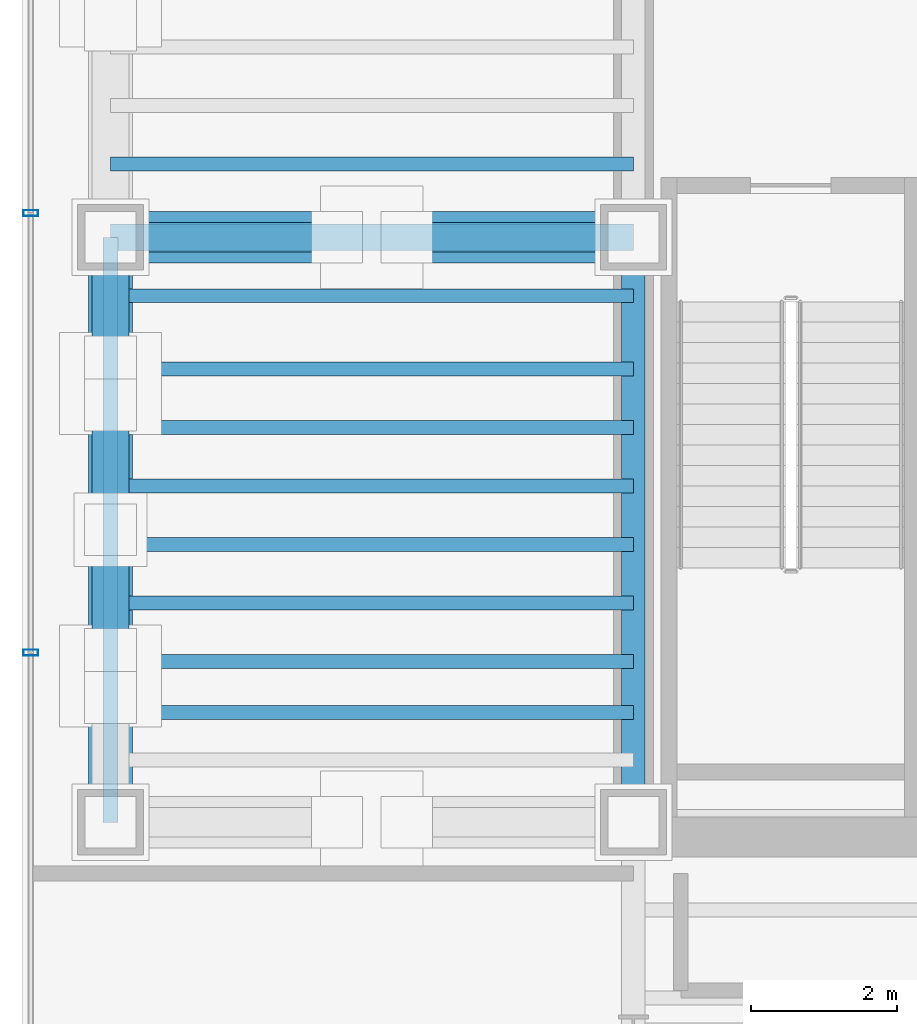
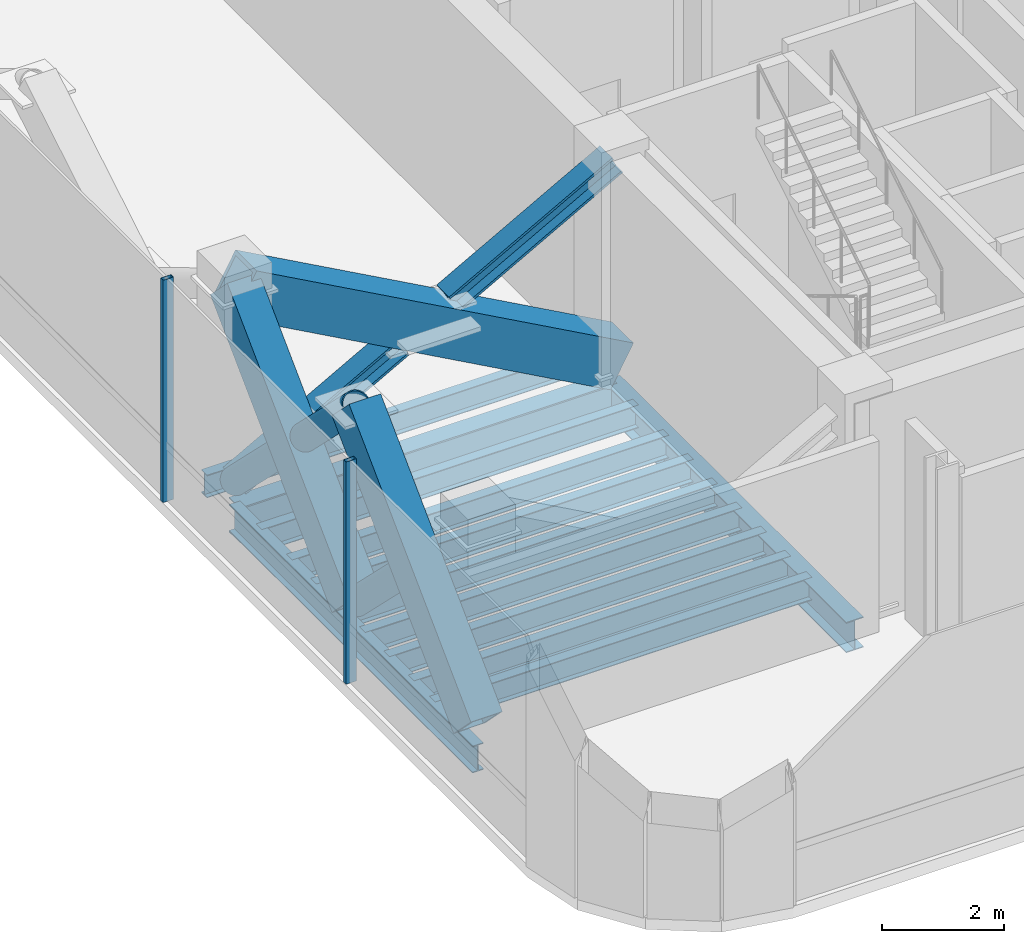
# One storey, part 4 of 20: 12 beams, 10 members, 1 element without a shape of its own.
"""IFC4 building model written with IfcOpenShell, lengths in metres."""

from ifc_helpers import new_model, si_unit, direction, frame, origin, origin_2d, place, context, subcontext, project, spatial, hollow_rectangle, hollow_circle, i_section, extrude, source, transform, mapped, material, material_profile, profile_set, type_object, element, aggregate, save


model = new_model("IFC4")

# Units and contexts
model_context = context("Model", 3, precision=1e-05, world=origin(), true_north=direction((0.0, 1.0)))
body_context = subcontext(model_context, "Body", "Model", "MODEL_VIEW")
ifc_project = project(units=[si_unit("LENGTHUNIT", "METRE"), si_unit("AREAUNIT", "SQUARE_METRE"), si_unit("VOLUMEUNIT", "CUBIC_METRE"), si_unit("PLANEANGLEUNIT", "RADIAN"), si_unit("MASSUNIT", "GRAM", prefix="KILO")], contexts=[model_context])

# Site, building, storey
site_placement = place(None, origin())
site = spatial("IfcSite", under=ifc_project, at=site_placement, CompositionType="ELEMENT")
building_placement = place(site_placement, origin())
building = spatial("IfcBuilding", under=site, at=building_placement, Name="Valdorenza Pilgrim Sanctuary Tower", CompositionType="ELEMENT")
storey_placement = place(building_placement, frame((0.0, 0.0, 196.300048828125)))
storey = spatial("IfcBuildingStorey", under=building, at=storey_placement, Name="L50", CompositionType="ELEMENT", Elevation=196.300048828125)

# Beams
ifc_material_1 = material(Name="Steel ASTM A992 Grade 50", Category="steel")
ifc_material_profile_1 = material_profile(ifc_material_1, i_section(OverallWidth=0.323974609375, OverallDepth=0.611083984375, WebThickness=0.0126953125, FlangeThickness=0.01904296875, at=origin_2d()), Name="W24X104")
ifc_profile_set_1 = profile_set([ifc_material_profile_1], Name="Steel ASTM A992 Grade 50")
beam_type_1 = type_object("IfcBeamType", Name="STR-BM-GRD-W24B", PredefinedType="BEAM", material=ifc_profile_set_1)
shared_shape_1 = source(origin(), body_context, "Body", "SweptSolid", [
    extrude(i_section(OverallWidth=0.323974609375, OverallDepth=0.611083984375, WebThickness=0.0126953125, FlangeThickness=0.01904296875, at=origin_2d()), origin(), (0.0, 0.0, 1.0), 8.0),
])
beam_1_placement = place(storey_placement, frame((-22.64990234375, -10.60009765625, -0.545654296875), z_axis=(0.0, 1.0, 0.0), x_axis=(-1.0, 0.0, 0.0)))
element("IfcBeam", 1, at=beam_1_placement, inside=storey, type_object=beam_type_1, Name="L50 Core Tie Girder CA-W-S1M0", PredefinedType="BEAM", context=body_context, shape_type="MappedRepresentation", body=[
    mapped(shared_shape_1, transform((0.0, 0.0, 0.0), x_axis=(1.0, 0.0, 0.0), y_axis=(0.0, 1.0, 0.0), z_axis=(0.0, 0.0, 1.0), scale=1.0)),
])
ifc_material_profile_2 = material_profile(ifc_material_1, i_section(OverallWidth=0.19091796875, OverallDepth=0.45703125, WebThickness=0.009033203125, FlangeThickness=0.014404296875, at=origin_2d()), Name="W18X50")
ifc_profile_set_2 = profile_set([ifc_material_profile_2], Name="Steel ASTM A992 Grade 50")
beam_type_2 = type_object("IfcBeamType", Name="STR-BM-JST-W18B", PredefinedType="JOIST", material=ifc_profile_set_2)
shared_shape_2 = source(origin(), body_context, "Body", "SweptSolid", [
    extrude(i_section(OverallWidth=0.19091796875, OverallDepth=0.45703125, WebThickness=0.009033203125, FlangeThickness=0.014404296875, at=origin_2d()), origin(), (0.0, 0.0, 1.0), 7.150146484375),
])
for number, where, z_axis, x_axis, name in (
    (2, (-29.800048828125, -9.10009765625, -0.468505859375), (1.0, 0.0, 0.0), (0.0, 1.0, 0.0), "L50 Composite Floor Joist JST-WA-2"),
    (3, (-29.800048828125, -8.39990234375, -0.468505859375), (1.0, 0.0, 0.0), (0.0, 1.0, 0.0), "L50 Composite Floor Joist JST-WA-3"),
    (4, (-29.800048828125, -7.60009765625, -0.468505859375), (1.0, 0.0, 0.0), (0.0, 1.0, 0.0), "L50 Composite Floor Joist JST-WA-4"),
    (5, (-29.800048828125, -6.800048828125, -0.468505859375), (1.0, 0.0, 0.0), (0.0, 1.0, 0.0), "L50 Composite Floor Joist JST-WA-5"),
    (6, (-29.800048828125, -6.0, -0.468505859375), (1.0, 0.0, 0.0), (0.0, 1.0, 0.0), "L50 Composite Floor Joist JST-WA-6"),
    (7, (-29.800048828125, -5.199951171875, -0.468505859375), (1.0, 0.0, 0.0), (0.0, 1.0, 0.0), "L50 Composite Floor Joist JST-WA-7"),
    (8, (-29.800048828125, -4.39990234375, -0.468505859375), (1.0, 0.0, 0.0), (0.0, 1.0, 0.0), "L50 Composite Floor Joist JST-WA-8"),
    (9, (-29.800048828125, -3.39990234375, -0.468505859375), (1.0, 0.0, 0.0), (0.0, 1.0, 0.0), "L50 Composite Floor Joist JST-WA-9"),
    (10, (-29.800048828125, -1.60009765625, -0.468505859375), (1.0, 0.0, 0.0), (0.0, 1.0, 0.0), "L50 Composite Floor Joist JST-WA-10"),
):
    element("IfcBeam", number, at=place(storey_placement, frame(where, z_axis=z_axis, x_axis=x_axis)), inside=storey, type_object=beam_type_2, Name=name, PredefinedType="JOIST", context=body_context, shape_type="MappedRepresentation", body=[
        mapped(shared_shape_2, transform((0.0, 0.0, 0.0), x_axis=(1.0, 0.0, 0.0), y_axis=(0.0, 1.0, 0.0), z_axis=(0.0, 0.0, 1.0), scale=1.0)),
    ])
ifc_material_profile_3 = material_profile(ifc_material_1, i_section(OverallWidth=0.2109375, OverallDepth=0.5390625, WebThickness=0.01171875, FlangeThickness=0.018798828125, at=origin_2d()), Name="W21X73")
ifc_profile_set_3 = profile_set([ifc_material_profile_3], Name="Steel ASTM A992 Grade 50")
beam_type_3 = type_object("IfcBeamType", Name="STR-BM-SPN-W21B", PredefinedType="SPANDREL", material=ifc_profile_set_3)
shared_shape_3 = source(origin(), body_context, "Body", "SweptSolid", [
    extrude(i_section(OverallWidth=0.2109375, OverallDepth=0.5390625, WebThickness=0.01171875, FlangeThickness=0.018798828125, at=origin_2d()), origin(), (0.0, 0.0, 1.0), 8.0),
])
beam_2_placement = place(storey_placement, frame((-29.800048828125, -10.60009765625, -0.509521484375), z_axis=(0.0, 1.0, 0.0), x_axis=(-1.0, 0.0, 0.0)))
element("IfcBeam", 11, at=beam_2_placement, inside=storey, type_object=beam_type_3, Name="L50 Spandrel Beam WA-W-S1M0", PredefinedType="SPANDREL", context=body_context, shape_type="MappedRepresentation", body=[
    mapped(shared_shape_3, transform((0.0, 0.0, 0.0), x_axis=(1.0, 0.0, 0.0), y_axis=(0.0, 1.0, 0.0), z_axis=(0.0, 0.0, 1.0), scale=1.0)),
])
ifc_material_profile_4 = material_profile(ifc_material_1, i_section(OverallWidth=0.35595703125, OverallDepth=0.700927734375, WebThickness=0.016845703125, FlangeThickness=0.02734375, at=origin_2d()), Name="W27X161")
ifc_profile_set_4 = profile_set([ifc_material_profile_4], Name="Steel ASTM A992 Grade 50")
beam_type_4 = type_object("IfcBeamType", Name="STR-BM-GRD-W27", PredefinedType="BEAM", material=ifc_profile_set_4)
shared_shape_4 = source(origin(), body_context, "Body", "SweptSolid", [
    extrude(i_section(OverallWidth=0.35595703125, OverallDepth=0.700927734375, WebThickness=0.016845703125, FlangeThickness=0.02734375, at=origin_2d()), origin(), (0.0, 0.0, 1.0), 7.150146484375),
])
beam_3_placement = place(storey_placement, frame((-29.800048828125, -2.60009765625, -0.590576171875), z_axis=(1.0, 0.0, 0.0), x_axis=(0.0, 1.0, 0.0)))
element("IfcBeam", 12, at=beam_3_placement, inside=storey, type_object=beam_type_4, Name="L50 Floor Girder WA-XW-M0", PredefinedType="BEAM", context=body_context, shape_type="MappedRepresentation", body=[
    mapped(shared_shape_4, transform((0.0, 0.0, 0.0), x_axis=(1.0, 0.0, 0.0), y_axis=(0.0, 1.0, 0.0), z_axis=(0.0, 0.0, 1.0), scale=1.0)),
])

# Members
ifc_material_2 = material(Name="Steel ASTM A572 Grade 42", Category="steel")
ifc_material_profile_5 = material_profile(ifc_material_2, hollow_rectangle(XDim=0.699951171875, YDim=0.89990234375, WallThickness=0.070068359375, at=origin_2d()), Name="BOX 900x700x70")
ifc_profile_set_5 = profile_set([ifc_material_profile_5], Name="Steel ASTM A572 Grade 42")
member_type_1 = type_object("IfcMemberType", Name="STR-MB-OUT-BOX900", PredefinedType="BRACE", material=ifc_profile_set_5)
shared_shape_5 = source(origin(), body_context, "Body", "SweptSolid", [
    extrude(hollow_rectangle(XDim=0.699951171875, YDim=0.89990234375, WallThickness=0.070068359375, at=origin_2d()), origin(), (0.0, 0.0, 1.0), 8.168701171875),
])
member_1_placement = place(storey_placement, frame((-22.64990234375, -2.60009765625, 0.199951171875), z_axis=(-0.875316441989, 0.0, 0.483550541706), x_axis=(0.0, -1.0, 0.0)))
element("IfcMember", 13, at=member_1_placement, inside=storey, type_object=member_type_1, Name="L50 Outrigger Truss Diagonal WA2A", PredefinedType="BRACE", context=body_context, shape_type="MappedRepresentation", body=[
    mapped(shared_shape_5, transform((0.0, 0.0, 0.0), x_axis=(1.0, 0.0, 0.0), y_axis=(0.0, 1.0, 0.0), z_axis=(0.0, 0.0, 1.0), scale=1.0)),
])
ifc_material_profile_6 = material_profile(ifc_material_1, i_section(OverallWidth=0.406005859375, OverallDepth=0.416015625, WebThickness=0.02978515625, FlangeThickness=0.048095703125, at=origin_2d()), Name="W14X257")
ifc_profile_set_6 = profile_set([ifc_material_profile_6], Name="Steel ASTM A992 Grade 50")
member_type_2 = type_object("IfcMemberType", Name="STR-MB-OUT-W257", PredefinedType="BRACE", material=ifc_profile_set_6)
shared_shape_6 = source(origin(), body_context, "Body", "SweptSolid", [
    extrude(i_section(OverallWidth=0.406005859375, OverallDepth=0.416015625, WebThickness=0.02978515625, FlangeThickness=0.048095703125, at=origin_2d()), origin(), (0.0, 0.0, 1.0), 3.540771484375),
])
for number, where, z_axis, x_axis, name in (
    (14, (-22.64990234375, -2.60009765625, 4.14990234375), (-0.875319106546, 0.0, -0.483545718331), (0.0, -1.0, 0.0), "L50 Outrigger Truss Counter-Diagonal WA2B Lower Segment"),
    (15, (-26.70068359375, -2.60009765625, 1.912109375), (-0.875319106546, 0.0, -0.483545718331), (0.0, -1.0, 0.0), "L50 Outrigger Truss Counter-Diagonal WA2B Upper Segment"),
):
    element("IfcMember", number, at=place(storey_placement, frame(where, z_axis=z_axis, x_axis=x_axis)), inside=storey, type_object=member_type_2, Name=name, PredefinedType="BRACE", context=body_context, shape_type="MappedRepresentation", body=[
        mapped(shared_shape_6, transform((0.0, 0.0, 0.0), x_axis=(1.0, 0.0, 0.0), y_axis=(0.0, 1.0, 0.0), z_axis=(0.0, 0.0, 1.0), scale=1.0)),
    ])
ifc_material_profile_7 = material_profile(ifc_material_2, hollow_rectangle(XDim=0.60009765625, YDim=0.800048828125, WallThickness=0.06005859375, at=origin_2d()), Name="BOX 800x600x60")
ifc_profile_set_7 = profile_set([ifc_material_profile_7], Name="Steel ASTM A572 Grade 42")
member_type_3 = type_object("IfcMemberType", Name="STR-MB-BLT-BOX800", PredefinedType="BRACE", material=ifc_profile_set_7)
shared_shape_7 = source(origin(), body_context, "Body", "SweptSolid", [
    extrude(hollow_rectangle(XDim=0.60009765625, YDim=0.800048828125, WallThickness=0.06005859375, at=origin_2d()), origin(), (0.0, 0.0, 1.0), 5.62158203125),
])
for number, where, z_axis, x_axis, name in (
    (16, (-29.800048828125, -10.60009765625, 0.199951171875), (0.0, 0.711544263728, 0.702641274589), (-1.0, 0.0, 0.0), "L50 Perimeter Belt Truss Diagonal W1"),
    (17, (-29.800048828125, -6.60009765625, 0.199951171875), (0.0, 0.711544263728, 0.702641274589), (-1.0, 0.0, 0.0), "L50 Perimeter Belt Truss Diagonal W2"),
):
    element("IfcMember", number, at=place(storey_placement, frame(where, z_axis=z_axis, x_axis=x_axis)), inside=storey, type_object=member_type_3, Name=name, PredefinedType="BRACE", context=body_context, shape_type="MappedRepresentation", body=[
        mapped(shared_shape_7, transform((0.0, 0.0, 0.0), x_axis=(1.0, 0.0, 0.0), y_axis=(0.0, 1.0, 0.0), z_axis=(0.0, 0.0, 1.0), scale=1.0)),
    ])
ifc_material_3 = material(Name="Steel S355J2", Category="steel")
ifc_material_profile_8 = material_profile(ifc_material_3, hollow_circle(Radius=0.25390625, WallThickness=0.02001953125, at=origin_2d()), Name="CHS 508x20")
ifc_profile_set_8 = profile_set([ifc_material_profile_8], Name="Steel S355J2")
member_type_4 = type_object("IfcMemberType", Name="STR-MB-CHS-508", PredefinedType="STRUT", material=ifc_profile_set_8)
shared_shape_8 = source(origin(), body_context, "Body", "SweptSolid", [
    extrude(hollow_circle(Radius=0.25390625, WallThickness=0.02001953125, at=origin_2d()), origin(), (0.0, 0.0, 1.0), 2.398681640625),
])
for number, where, z_axis, x_axis, name in (
    (18, (-29.800048828125, -8.306884765625, 1.885498046875), (0.0, 0.711520203228, -0.702665639119), (-1.0, 0.0, 0.0), "L50 Perimeter Counter-Belt Strut CW1 Upper Segment"),
    (19, (-29.800048828125, -6.60009765625, 4.14990234375), (0.0, 0.711520203228, -0.702665639119), (-1.0, 0.0, 0.0), "L50 Perimeter Counter-Belt Strut CW2 Lower Segment"),
    (20, (-29.800048828125, -4.306884765625, 1.885498046875), (0.0, 0.711520203228, -0.702665639119), (-1.0, 0.0, 0.0), "L50 Perimeter Counter-Belt Strut CW2 Upper Segment"),
):
    element("IfcMember", number, at=place(storey_placement, frame(where, z_axis=z_axis, x_axis=x_axis)), inside=storey, type_object=member_type_4, Name=name, PredefinedType="STRUT", context=body_context, shape_type="MappedRepresentation", body=[
        mapped(shared_shape_8, transform((0.0, 0.0, 0.0), x_axis=(1.0, 0.0, 0.0), y_axis=(0.0, 1.0, 0.0), z_axis=(0.0, 0.0, 1.0), scale=1.0)),
    ])

# Curtain wall, members
ifc_material_4 = material(Name="Curtain-wall IGU glazing", Category="glass")
curtain_wall_type = type_object("IfcCurtainWallType", Name="CW-SYS-02", PredefinedType="NOTDEFINED", material=ifc_material_4)
curtain_wall_placement = place(storey_placement, origin())
curtain_wall = element("IfcCurtainWall", 21, at=curtain_wall_placement, inside=storey, type_object=curtain_wall_type, Name="L50 Curtain Wall CW-L50-1-1", PredefinedType="NOTDEFINED")
ifc_material_5 = material(Name="Anodised aluminium AW-6060", Category="aluminium")
ifc_material_profile_9 = material_profile(ifc_material_5, hollow_rectangle(XDim=0.0849609375, YDim=0.199951171875, WallThickness=0.0048828125, at=origin_2d()), Name="ALU-M 200x85x5")
ifc_profile_set_9 = profile_set([ifc_material_profile_9], Name="Anodised aluminium AW-6060")
member_type_5 = type_object("IfcMemberType", Name="CW-MUL-02", PredefinedType="MULLION", material=ifc_profile_set_9)
shared_shape_9 = source(origin(), body_context, "Body", "SweptSolid", [
    extrude(hollow_rectangle(XDim=0.0849609375, YDim=0.199951171875, WallThickness=0.0048828125, at=origin_2d()), origin(), (0.0, 0.0, 1.0), 4.4599609375),
])
member_2_placement = place(storey_placement, frame((-30.889892578125, -8.27978515625, 0.0), z_axis=(0.0, 0.0, 1.0), x_axis=(0.0, 1.0, 0.0)))
member_2 = element("IfcMember", 22, at=member_2_placement, type_object=member_type_5, Name="CW-L50-1-1 Mullion 2", PredefinedType="MULLION", context=body_context, shape_type="MappedRepresentation", body=[
    mapped(shared_shape_9, transform((0.0, 0.0, 0.0), x_axis=(1.0, 0.0, 0.0), y_axis=(0.0, 1.0, 0.0), z_axis=(0.0, 0.0, 1.0), scale=1.0)),
])
member_3_placement = place(storey_placement, frame((-30.889892578125, -2.2705078125, 0.0), z_axis=(0.0, 0.0, 1.0), x_axis=(0.0, 1.0, 0.0)))
member_3 = element("IfcMember", 23, at=member_3_placement, type_object=member_type_5, Name="CW-L50-1-1 Mullion 3", PredefinedType="MULLION", context=body_context, shape_type="MappedRepresentation", body=[
    mapped(shared_shape_9, transform((0.0, 0.0, 0.0), x_axis=(1.0, 0.0, 0.0), y_axis=(0.0, 1.0, 0.0), z_axis=(0.0, 0.0, 1.0), scale=1.0)),
])
aggregate(curtain_wall, [member_2, member_3])

save(model, "model.ifc")
